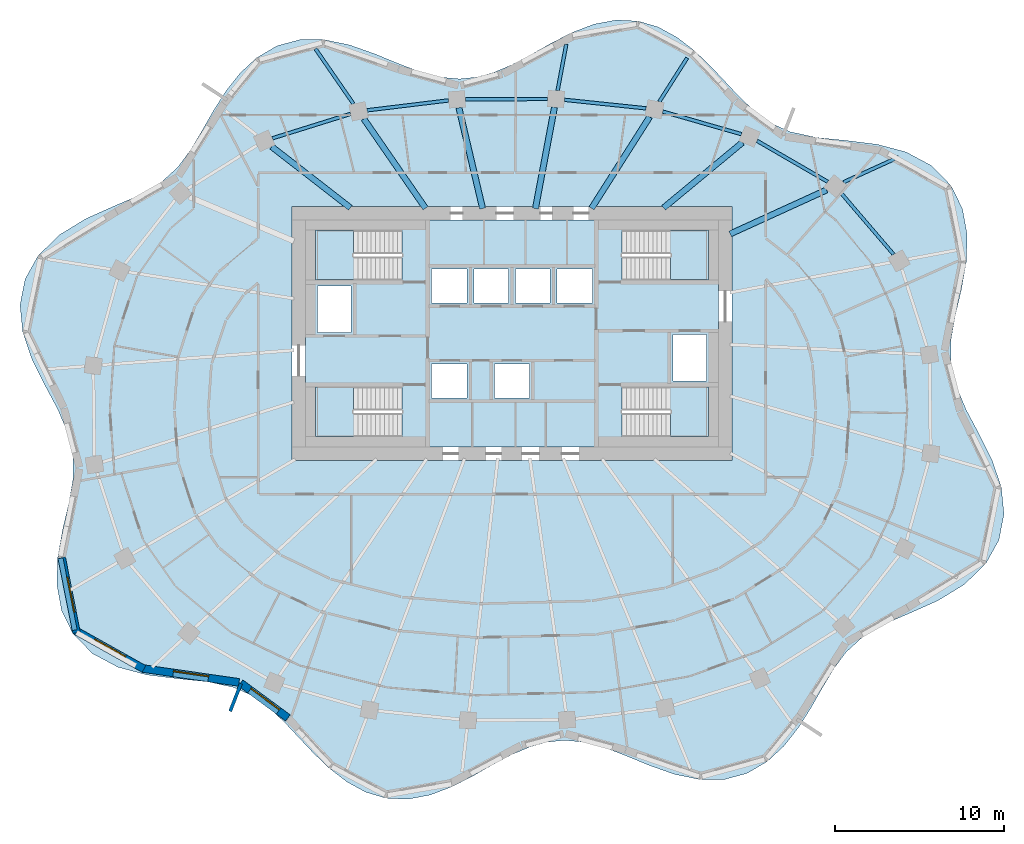
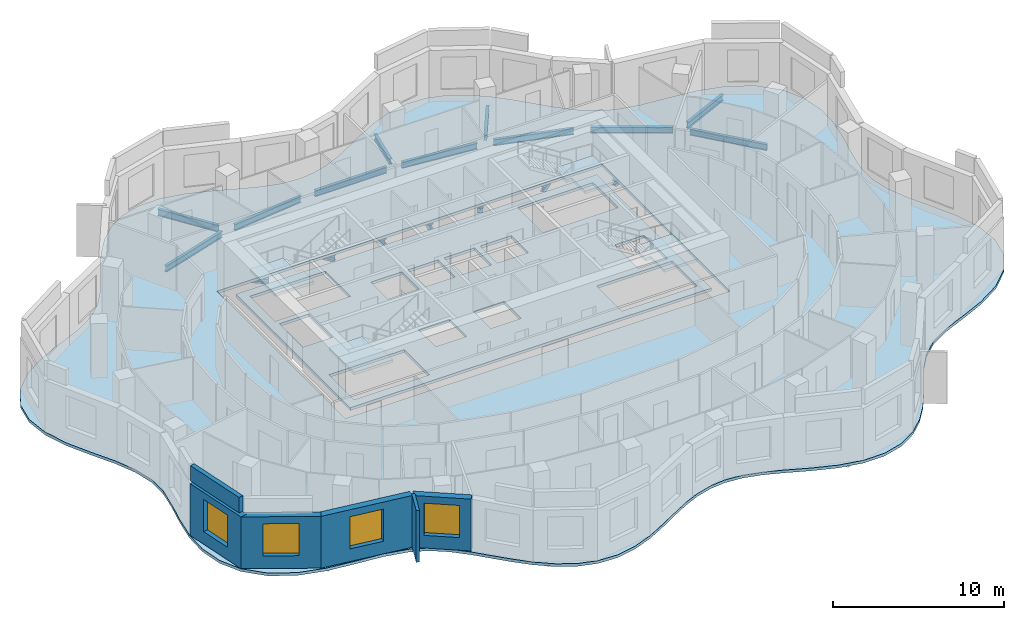
# One storey, part 2 of 11: 18 beams, 6 slabs, 6 walls, 4 windows, 4 openings, 4 elements without a shape of their own.
"""IFC4 building model written with IfcOpenShell, lengths in metres."""

from ifc_helpers import new_model, si_unit, direction, frame, frame_2d, origin, origin_2d, place, context, subcontext, project, spatial, polyline, rectangle, i_section, outline, extrude, material, layer, layer_set, material_profile, profile_set, type_object, element, fill, aggregate, save


model = new_model("IFC4")

# Units and contexts
model_context = context("Model", 3, precision=1e-05, world=origin(), true_north=direction((0.0, 1.0)))
body_context = subcontext(model_context, "Body", "Model", "MODEL_VIEW")
ifc_project = project(units=[si_unit("LENGTHUNIT", "METRE"), si_unit("AREAUNIT", "SQUARE_METRE"), si_unit("VOLUMEUNIT", "CUBIC_METRE"), si_unit("PLANEANGLEUNIT", "RADIAN"), si_unit("MASSUNIT", "GRAM", prefix="KILO")], contexts=[model_context])

# Site, building, storey
site_placement = place(None, origin())
site = spatial("IfcSite", under=ifc_project, at=site_placement, CompositionType="ELEMENT")
building_placement = place(site_placement, origin())
building = spatial("IfcBuilding", under=site, at=building_placement, Name="Rubra Terraces Tower", CompositionType="ELEMENT")
storey_placement = place(building_placement, frame((0.0, 0.0, 181.800048828125)))
storey = spatial("IfcBuildingStorey", under=building, at=storey_placement, Name="L44", CompositionType="ELEMENT", Elevation=181.800048828125)

# Beams
ifc_material_1 = material(Name="Steel Q355B", Category="steel")
ifc_material_profile_1 = material_profile(ifc_material_1, i_section(OverallWidth=0.199951171875, OverallDepth=0.39990234375, WebThickness=0.008056640625, FlangeThickness=0.012939453125, at=origin_2d()), Name="HN 400x200x8x13")
ifc_profile_set_1 = profile_set([ifc_material_profile_1], Name="Steel Q355B")
beam_type_1 = type_object("IfcBeamType", Name="CANTILEVER BEAM HN 400x200x8x13", PredefinedType="BEAM", material=ifc_profile_set_1)
beam_1_placement = place(storey_placement, frame((8.7099609375, 18.201904296875, -0.400146484375), z_axis=(0.536555231363, 0.843865204696, 0.0), x_axis=(-0.843865204696, 0.536555231363, 0.0)))
element("IfcBeam", 1, at=beam_1_placement, inside=storey, type_object=beam_type_1, Name="beam-L44-cant-05", PredefinedType="BEAM", context=body_context, shape_type="SweptSolid", body=[
    extrude(i_section(OverallWidth=0.199951171875, OverallDepth=0.39990234375, WebThickness=0.008056640625, FlangeThickness=0.012939453125, at=origin_2d()), origin(), (0.0, 0.0, 1.0), 3.05859375),
])
beam_2_placement = place(storey_placement, frame((2.695068359375, 18.85400390625, -0.400146484375), z_axis=(0.184719314681, 0.982791318024, 0.0), x_axis=(-0.982791318024, 0.184719314681, 0.0)))
element("IfcBeam", 2, at=beam_2_placement, inside=storey, type_object=beam_type_1, Name="beam-L44-cant-06", PredefinedType="BEAM", context=body_context, shape_type="SweptSolid", body=[
    extrude(i_section(OverallWidth=0.199951171875, OverallDepth=0.39990234375, WebThickness=0.008056640625, FlangeThickness=0.012939453125, at=origin_2d()), origin(), (0.0, 0.0, 1.0), 2.771484375),
])
ifc_material_profile_2 = material_profile(ifc_material_1, i_section(OverallWidth=0.198974609375, OverallDepth=0.446044921875, WebThickness=0.008056640625, FlangeThickness=0.011962890625, at=origin_2d()), Name="HN 446x199x8x12")
ifc_profile_set_2 = profile_set([ifc_material_profile_2], Name="Steel Q355B")
beam_type_2 = type_object("IfcBeamType", Name="CANTILEVER BEAM HN 446x199x8x12", PredefinedType="BEAM", material=ifc_profile_set_2)
beam_3_placement = place(storey_placement, frame((19.596923828125, 13.43896484375, -0.423095703125), z_axis=(0.909750987553, 0.415154357614, 0.0), x_axis=(-0.415154357614, 0.909750987553, 0.0)))
element("IfcBeam", 3, at=beam_3_placement, inside=storey, type_object=beam_type_2, Name="beam-L44-cant-03", PredefinedType="BEAM", context=body_context, shape_type="SweptSolid", body=[
    extrude(i_section(OverallWidth=0.198974609375, OverallDepth=0.446044921875, WebThickness=0.008056640625, FlangeThickness=0.011962890625, at=origin_2d()), origin(), (0.0, 0.0, 1.0), 3.56494140625),
])
ifc_material_profile_3 = material_profile(ifc_material_1, i_section(OverallWidth=0.198974609375, OverallDepth=0.49609375, WebThickness=0.009033203125, FlangeThickness=0.013916015625, at=origin_2d()), Name="HN 496x199x9x14")
ifc_profile_set_3 = profile_set([ifc_material_profile_3], Name="Steel Q355B")
beam_type_3 = type_object("IfcBeamType", Name="CANTILEVER BEAM HN 496x199x9x14", PredefinedType="BEAM", material=ifc_profile_set_3)
beam_4_placement = place(storey_placement, frame((-9.3701171875, 18.070068359375, -0.447998046875), z_axis=(-0.568216621414, 0.822879013676, 0.0), x_axis=(-0.822879013676, -0.568216621414, 0.0)))
element("IfcBeam", 4, at=beam_4_placement, inside=storey, type_object=beam_type_3, Name="beam-L44-cant-08", PredefinedType="BEAM", context=body_context, shape_type="SweptSolid", body=[
    extrude(i_section(OverallWidth=0.198974609375, OverallDepth=0.49609375, WebThickness=0.009033203125, FlangeThickness=0.013916015625, at=origin_2d()), origin(), (0.0, 0.0, 1.0), 3.95068359375),
])
ifc_material_profile_4 = material_profile(ifc_material_1, i_section(OverallWidth=0.35009765625, OverallDepth=0.35009765625, WebThickness=0.011962890625, FlangeThickness=0.01904296875, at=origin_2d()), Name="HW 350x350x12x19")
ifc_profile_set_4 = profile_set([ifc_material_profile_4], Name="Steel Q355B")
beam_type_4 = type_object("IfcBeamType", Name="FLOOR BEAM HW 350x350x12x19", PredefinedType="BEAM", material=ifc_profile_set_4)
beam_5_placement = place(storey_placement, frame((18.5869140625, 12.97900390625, -0.375), z_axis=(-0.909756526533, -0.415142219523, 0.0), x_axis=(0.415142219523, -0.909756526533, 0.0)))
element("IfcBeam", 5, at=beam_5_placement, inside=storey, type_object=beam_type_4, Name="beam-L44-floor-03", PredefinedType="BEAM", context=body_context, shape_type="SweptSolid", body=[
    extrude(i_section(OverallWidth=0.35009765625, OverallDepth=0.35009765625, WebThickness=0.011962890625, FlangeThickness=0.01904296875, at=origin_2d()), origin(), (0.0, 0.0, 1.0), 6.2607421875),
])
beam_6_placement = place(storey_placement, frame((13.60888671875, 15.777099609375, -0.375), z_axis=(-0.769987518392, -0.638058948312, 0.0), x_axis=(0.638058948312, -0.769987518392, 0.0)))
element("IfcBeam", 6, at=beam_6_placement, inside=storey, type_object=beam_type_4, Name="beam-L44-floor-04", PredefinedType="BEAM", context=body_context, shape_type="SweptSolid", body=[
    extrude(i_section(OverallWidth=0.35009765625, OverallDepth=0.35009765625, WebThickness=0.011962890625, FlangeThickness=0.01904296875, at=origin_2d()), origin(), (0.0, 0.0, 1.0), 6.040283203125),
])
beam_7_placement = place(storey_placement, frame((8.134033203125, 17.2958984375, -0.375), z_axis=(-0.536509861106, -0.843894050776, 0.0), x_axis=(0.843894050776, -0.536509861106, 0.0)))
element("IfcBeam", 7, at=beam_7_placement, inside=storey, type_object=beam_type_4, Name="beam-L44-floor-05", PredefinedType="BEAM", context=body_context, shape_type="SweptSolid", body=[
    extrude(i_section(OverallWidth=0.35009765625, OverallDepth=0.35009765625, WebThickness=0.011962890625, FlangeThickness=0.01904296875, at=origin_2d()), origin(), (0.0, 0.0, 1.0), 6.395263671875),
])
beam_8_placement = place(storey_placement, frame((2.509033203125, 17.862060546875, -0.375), z_axis=(-0.184574398021, -0.982818544593, 0.0), x_axis=(0.982818544593, -0.184574398021, 0.0)))
element("IfcBeam", 8, at=beam_8_placement, inside=storey, type_object=beam_type_4, Name="beam-L44-floor-06", PredefinedType="BEAM", context=body_context, shape_type="SweptSolid", body=[
    extrude(i_section(OverallWidth=0.35009765625, OverallDepth=0.35009765625, WebThickness=0.011962890625, FlangeThickness=0.01904296875, at=origin_2d()), origin(), (0.0, 0.0, 1.0), 6.08447265625),
])
beam_9_placement = place(storey_placement, frame((-3.137939453125, 17.8359375, -0.375), z_axis=(0.229070485592, -0.973409837957, 0.0), x_axis=(0.973409837957, 0.229070485592, 0.0)))
element("IfcBeam", 9, at=beam_9_placement, inside=storey, type_object=beam_type_4, Name="beam-L44-floor-07", PredefinedType="BEAM", context=body_context, shape_type="SweptSolid", body=[
    extrude(i_section(OverallWidth=0.35009765625, OverallDepth=0.35009765625, WebThickness=0.011962890625, FlangeThickness=0.01904296875, at=origin_2d()), origin(), (0.0, 0.0, 1.0), 6.115478515625),
])
beam_10_placement = place(storey_placement, frame((-8.756103515625, 17.179931640625, -0.375), z_axis=(0.568186422001, -0.822899866238, 0.0), x_axis=(0.822899866238, 0.568186422001, 0.0)))
element("IfcBeam", 10, at=beam_10_placement, inside=storey, type_object=beam_type_4, Name="beam-L44-floor-08", PredefinedType="BEAM", context=body_context, shape_type="SweptSolid", body=[
    extrude(i_section(OverallWidth=0.35009765625, OverallDepth=0.35009765625, WebThickness=0.011962890625, FlangeThickness=0.01904296875, at=origin_2d()), origin(), (0.0, 0.0, 1.0), 6.415283203125),
])
beam_11_placement = place(storey_placement, frame((-14.197998046875, 15.534912109375, -0.375), z_axis=(0.789548898228, -0.613687654517, 0.0), x_axis=(0.613687654517, 0.789548898228, 0.0)))
element("IfcBeam", 11, at=beam_11_placement, inside=storey, type_object=beam_type_4, Name="beam-L44-floor-09", PredefinedType="BEAM", context=body_context, shape_type="SweptSolid", body=[
    extrude(i_section(OverallWidth=0.35009765625, OverallDepth=0.35009765625, WebThickness=0.011962890625, FlangeThickness=0.01904296875, at=origin_2d()), origin(), (0.0, 0.0, 1.0), 5.880615234375),
])
ifc_material_profile_5 = material_profile(ifc_material_1, i_section(OverallWidth=0.198974609375, OverallDepth=0.446044921875, WebThickness=0.008056640625, FlangeThickness=0.011962890625, at=origin_2d()), Name="HN 446x199x8x12")
ifc_profile_set_5 = profile_set([ifc_material_profile_5], Name="Steel Q355B")
beam_type_5 = type_object("IfcBeamType", Name="SPANDREL BEAM HN 446x199x8x12", PredefinedType="SPANDREL", material=ifc_profile_set_5)
beam_12_placement = place(storey_placement, frame((22.547119140625, 9.174072265625, -0.423095703125), z_axis=(-0.650372836218, 0.759615148552, 0.0), x_axis=(-0.759615148552, -0.650372836218, 0.0)))
element("IfcBeam", 12, at=beam_12_placement, inside=storey, type_object=beam_type_5, Name="beam-L44-spandrel-02", PredefinedType="SPANDREL", context=body_context, shape_type="SweptSolid", body=[
    extrude(i_section(OverallWidth=0.198974609375, OverallDepth=0.446044921875, WebThickness=0.008056640625, FlangeThickness=0.011962890625, at=origin_2d()), origin(), (0.0, 0.0, 1.0), 4.804931640625),
])
beam_13_placement = place(storey_placement, frame((18.653076171875, 13.462890625, -0.423095703125), z_axis=(-0.865153680787, 0.501506838059, 0.0), x_axis=(-0.501506838059, -0.865153680787, 0.0)))
element("IfcBeam", 13, at=beam_13_placement, inside=storey, type_object=beam_type_5, Name="beam-L44-spandrel-03", PredefinedType="SPANDREL", context=body_context, shape_type="SweptSolid", body=[
    extrude(i_section(OverallWidth=0.198974609375, OverallDepth=0.446044921875, WebThickness=0.008056640625, FlangeThickness=0.011962890625, at=origin_2d()), origin(), (0.0, 0.0, 1.0), 4.82568359375),
])
beam_14_placement = place(storey_placement, frame((13.55810546875, 16.27490234375, -0.423095703125), z_axis=(-0.961171164323, 0.275952881621, 0.0), x_axis=(-0.275952881621, -0.961171164323, 0.0)))
element("IfcBeam", 14, at=beam_14_placement, inside=storey, type_object=beam_type_5, Name="beam-L44-spandrel-04", PredefinedType="SPANDREL", context=body_context, shape_type="SweptSolid", body=[
    extrude(i_section(OverallWidth=0.198974609375, OverallDepth=0.446044921875, WebThickness=0.008056640625, FlangeThickness=0.011962890625, at=origin_2d()), origin(), (0.0, 0.0, 1.0), 4.842041015625),
])
beam_15_placement = place(storey_placement, frame((7.923095703125, 17.801025390625, -0.423095703125), z_axis=(-0.994565426955, 0.104113454971, 0.0), x_axis=(-0.104113454971, -0.994565426955, 0.0)))
element("IfcBeam", 15, at=beam_15_placement, inside=storey, type_object=beam_type_5, Name="beam-L44-spandrel-05", PredefinedType="SPANDREL", context=body_context, shape_type="SweptSolid", body=[
    extrude(i_section(OverallWidth=0.198974609375, OverallDepth=0.446044921875, WebThickness=0.008056640625, FlangeThickness=0.011962890625, at=origin_2d()), origin(), (0.0, 0.0, 1.0), 4.849365234375),
])
beam_16_placement = place(storey_placement, frame((2.10107421875, 18.35595703125, -0.423095703125), z_axis=(-0.999987852299, -0.004929021704, 0.0), x_axis=(0.004929021704, -0.999987852299, 0.0)))
element("IfcBeam", 16, at=beam_16_placement, inside=storey, type_object=beam_type_5, Name="beam-L44-spandrel-06", PredefinedType="SPANDREL", context=body_context, shape_type="SweptSolid", body=[
    extrude(i_section(OverallWidth=0.198974609375, OverallDepth=0.446044921875, WebThickness=0.008056640625, FlangeThickness=0.011962890625, at=origin_2d()), origin(), (0.0, 0.0, 1.0), 4.85400390625),
])
beam_17_placement = place(storey_placement, frame((-3.7509765625, 18.27001953125, -0.423095703125), z_axis=(-0.992698018573, -0.120626049929, 0.0), x_axis=(0.120626049929, -0.992698018573, 0.0)))
element("IfcBeam", 17, at=beam_17_placement, inside=storey, type_object=beam_type_5, Name="beam-L44-spandrel-07", PredefinedType="SPANDREL", context=body_context, shape_type="SweptSolid", body=[
    extrude(i_section(OverallWidth=0.198974609375, OverallDepth=0.446044921875, WebThickness=0.008056640625, FlangeThickness=0.011962890625, at=origin_2d()), origin(), (0.0, 0.0, 1.0), 4.849365234375),
])
beam_18_placement = place(storey_placement, frame((-9.5419921875, 17.47509765625, -0.423095703125), z_axis=(-0.954462027342, -0.298332429282, 0.0), x_axis=(0.298332429282, -0.954462027342, 0.0)))
element("IfcBeam", 18, at=beam_18_placement, inside=storey, type_object=beam_type_5, Name="beam-L44-spandrel-08", PredefinedType="SPANDREL", context=body_context, shape_type="SweptSolid", body=[
    extrude(i_section(OverallWidth=0.198974609375, OverallDepth=0.446044921875, WebThickness=0.008056640625, FlangeThickness=0.011962890625, at=origin_2d()), origin(), (0.0, 0.0, 1.0), 4.840576171875),
])

# Slab
ifc_material_2 = material(Name="Concrete C40", Category="concrete")
ifc_layer_1 = layer(ifc_material_2, 0.199951171875)
ifc_layer_set_1 = layer_set([ifc_layer_1], Name="Concrete C40")
slab_type_1 = type_object("IfcSlabType", Name="Core floor slab 200 concrete", PredefinedType="FLOOR", material=ifc_layer_set_1)
slab_1_placement = place(storey_placement, frame((0.0, 0.0, -0.199951171875)))
element("IfcSlab", 19, at=slab_1_placement, inside=storey, type_object=slab_type_1, Name="CORE FLOOR SLAB L44", PredefinedType="FLOOR", context=body_context, shape_type="SweptSolid", body=[
    extrude(outline(polyline([(-12.199951171875, -2.199951171875), (-12.199951171875, 11.199951171875), (12.199951171875, 11.199951171875), (12.199951171875, -2.199951171875), (-12.199951171875, -2.199951171875)]), holes=[polyline([(11.597900390625, 1.347900390625), (6.501953125, 1.347900390625), (6.501953125, -1.597900390625), (11.597900390625, -1.597900390625), (11.597900390625, 1.347900390625)]), polyline([(11.597900390625, 7.652099609375), (11.597900390625, 10.597900390625), (6.501953125, 10.597900390625), (6.501953125, 7.652099609375), (11.597900390625, 7.652099609375)]), polyline([(9.5, 1.699951171875), (11.5, 1.699951171875), (11.5, 4.449951171875), (9.5, 4.449951171875), (9.5, 1.699951171875)]), polyline([(4.75, 6.300048828125), (4.75, 8.300048828125), (2.64990234375, 8.300048828125), (2.64990234375, 6.300048828125), (4.75, 6.300048828125)]), polyline([(2.25, 8.300048828125), (0.199951171875, 8.300048828125), (0.199951171875, 6.300048828125), (2.25, 6.300048828125), (2.25, 8.300048828125)]), polyline([(1.02490234375, 0.699951171875), (1.02490234375, 2.699951171875), (-1.02490234375, 2.699951171875), (-1.02490234375, 0.699951171875), (1.02490234375, 0.699951171875)]), polyline([(-0.199951171875, 6.300048828125), (-0.199951171875, 8.300048828125), (-2.25, 8.300048828125), (-2.25, 6.300048828125), (-0.199951171875, 6.300048828125)]), polyline([(-4.75, 8.300048828125), (-4.75, 6.300048828125), (-2.64990234375, 6.300048828125), (-2.64990234375, 8.300048828125), (-4.75, 8.300048828125)]), polyline([(-2.64990234375, 0.699951171875), (-2.64990234375, 2.699951171875), (-4.75, 2.699951171875), (-4.75, 0.699951171875), (-2.64990234375, 0.699951171875)]), polyline([(-11.597900390625, -1.597900390625), (-6.501953125, -1.597900390625), (-6.501953125, 1.347900390625), (-11.597900390625, 1.347900390625), (-11.597900390625, -1.597900390625)]), polyline([(-11.597900390625, 10.597900390625), (-11.597900390625, 7.652099609375), (-6.501953125, 7.652099609375), (-6.501953125, 10.597900390625), (-11.597900390625, 10.597900390625)]), polyline([(-9.5, 4.550048828125), (-9.5, 7.300048828125), (-11.5, 7.300048828125), (-11.5, 4.550048828125), (-9.5, 4.550048828125)])]), origin(), (0.0, 0.0, 1.0), 0.199951171875),
])

# Stair, slab
stair_type = type_object("IfcStairType", Name="Core stair 1400", PredefinedType="HALF_TURN_STAIR", material=ifc_material_2)
stair_1_placement = place(storey_placement, origin())
stair_1 = element("IfcStair", 20, at=stair_1_placement, inside=storey, type_object=stair_type, Name="L44 Exit stair S1", PredefinedType="HALF_TURN_STAIR")
ifc_layer_2 = layer(ifc_material_2, 0.199951171875)
ifc_layer_set_2 = layer_set([ifc_layer_2], Name="Concrete C40")
slab_type_2 = type_object("IfcSlabType", Name="Core stair landing 200", PredefinedType="LANDING", material=ifc_layer_set_2)
slab_2_placement = place(storey_placement, frame((0.0, 0.0, 1.75)))
slab_2 = element("IfcSlab", 21, at=slab_2_placement, type_object=slab_type_2, Name="S1 landing 1", PredefinedType="LANDING", context=body_context, shape_type="SweptSolid", body=[
    extrude(outline(polyline([(-8.97998046875, -0.199951171875), (-8.97998046875, -1.60009765625), (-9.360107421875, -1.60009765625), (-9.3798828125, -1.60009765625), (-11.60009765625, -1.60009765625), (-11.60009765625, 1.35009765625), (-9.3798828125, 1.35009765625), (-9.35791015625, 1.35009765625), (-9.35791015625, -0.050048828125), (-9.360107421875, -0.050048828125), (-9.360107421875, -0.199951171875), (-8.97998046875, -0.199951171875)])), origin(), (0.0, 0.0, 1.0), 0.199951171875),
])
aggregate(stair_1, [slab_2])

stair_2_placement = place(storey_placement, origin())
stair_2 = element("IfcStair", 22, at=stair_2_placement, inside=storey, type_object=stair_type, Name="L44 Exit stair S2", PredefinedType="HALF_TURN_STAIR")
slab_3_placement = place(storey_placement, frame((0.0, 0.0, 1.75)))
slab_3 = element("IfcSlab", 23, at=slab_3_placement, type_object=slab_type_2, Name="S2 landing 1", PredefinedType="LANDING", context=body_context, shape_type="SweptSolid", body=[
    extrude(outline(polyline([(-8.97998046875, 9.050048828125), (-8.97998046875, 7.64990234375), (-9.3798828125, 7.64990234375), (-11.60009765625, 7.64990234375), (-11.60009765625, 10.60009765625), (-9.3798828125, 10.60009765625), (-9.360107421875, 10.60009765625), (-9.35791015625, 10.60009765625), (-9.35791015625, 9.199951171875), (-9.360107421875, 9.199951171875), (-9.360107421875, 9.050048828125), (-8.97998046875, 9.050048828125)])), origin(), (0.0, 0.0, 1.0), 0.199951171875),
])
aggregate(stair_2, [slab_3])

stair_3_placement = place(storey_placement, origin())
stair_3 = element("IfcStair", 24, at=stair_3_placement, inside=storey, type_object=stair_type, Name="L44 Exit stair S3", PredefinedType="HALF_TURN_STAIR")
slab_4_placement = place(storey_placement, frame((0.0, 0.0, 1.75)))
slab_4 = element("IfcSlab", 25, at=slab_4_placement, type_object=slab_type_2, Name="S3 landing 1", PredefinedType="LANDING", context=body_context, shape_type="SweptSolid", body=[
    extrude(outline(polyline([(9.360107421875, 9.050048828125), (9.360107421875, 9.199951171875), (8.97998046875, 9.199951171875), (8.97998046875, 10.60009765625), (9.360107421875, 10.60009765625), (9.3798828125, 10.60009765625), (11.60009765625, 10.60009765625), (11.60009765625, 7.64990234375), (9.3798828125, 7.64990234375), (9.35791015625, 7.64990234375), (9.35791015625, 9.050048828125), (9.360107421875, 9.050048828125)])), origin(), (0.0, 0.0, 1.0), 0.199951171875),
])
aggregate(stair_3, [slab_4])

stair_4_placement = place(storey_placement, origin())
stair_4 = element("IfcStair", 26, at=stair_4_placement, inside=storey, type_object=stair_type, Name="L44 Exit stair S4", PredefinedType="HALF_TURN_STAIR")
slab_5_placement = place(storey_placement, frame((0.0, 0.0, 1.75)))
slab_5 = element("IfcSlab", 27, at=slab_5_placement, type_object=slab_type_2, Name="S4 landing 1", PredefinedType="LANDING", context=body_context, shape_type="SweptSolid", body=[
    extrude(outline(polyline([(9.360107421875, -0.199951171875), (9.360107421875, -0.050048828125), (8.97998046875, -0.050048828125), (8.97998046875, 1.35009765625), (9.360107421875, 1.35009765625), (9.3798828125, 1.35009765625), (11.60009765625, 1.35009765625), (11.60009765625, -1.60009765625), (9.3798828125, -1.60009765625), (9.360107421875, -1.60009765625), (9.35791015625, -1.60009765625), (9.35791015625, -0.199951171875), (9.360107421875, -0.199951171875)])), origin(), (0.0, 0.0, 1.0), 0.199951171875),
])
aggregate(stair_4, [slab_5])

# Slab
ifc_layer_3 = layer(ifc_material_2, 0.199951171875)
ifc_layer_set_3 = layer_set([ifc_layer_3], Name="Concrete C40")
slab_type_3 = type_object("IfcSlabType", Name="FLOOR SLAB 200 COMPOSITE", PredefinedType="FLOOR", material=ifc_layer_set_3)
slab_6_placement = place(storey_placement, frame((0.0, 0.0, -0.199951171875)))
element("IfcSlab", 28, at=slab_6_placement, inside=storey, type_object=slab_type_3, Name="FLOOR SLAB L44", PredefinedType="FLOOR", context=body_context, shape_type="SweptSolid", body=[
    extrude(outline(polyline([(27.60498046875, -1.447998046875), (26.8330078125, 0.0), (26.241943359375, 1.402099609375), (25.93408203125, 2.7490234375), (25.93896484375, 4.10791015625), (26.18994140625, 5.527099609375), (26.551025390625, 7.068115234375), (26.843994140625, 8.721923828125), (26.89794921875, 10.322021484375), (26.618896484375, 11.860107421875), (25.9541015625, 13.22412109375), (24.791015625, 14.4169921875), (23.280029296875, 15.22412109375), (21.576904296875, 15.677001953125), (19.7109375, 15.906982421875), (17.967041015625, 16.08203125), (16.422119140625, 16.422119140625), (15.35791015625, 16.89892578125), (14.376953125, 17.594970703125), (13.430908203125, 18.487060546875), (12.596923828125, 19.3779296875), (11.72509765625, 20.303955078125), (10.798095703125, 21.19189453125), (9.7509765625, 22.001953125), (8.634033203125, 22.60888671875), (7.4599609375, 22.958984375), (6.156982421875, 23.02197265625), (4.837890625, 22.77490234375), (3.528076171875, 22.27490234375), (2.3291015625, 21.662109375), (1.156005859375, 20.9990234375), (0.0, 20.383056640625), (-1.0439453125, 19.93701171875), (-2.072021484375, 19.64794921875), (-3.094970703125, 19.5419921875), (-4.2451171875, 19.64501953125), (-5.419921875, 19.9560546875), (-6.633056640625, 20.4130859375), (-8.09912109375, 21.01806640625), (-9.613037109375, 21.552001953125), (-11.14208984375, 21.866943359375), (-12.552978515625, 21.85595703125), (-13.886962890625, 21.4951171875), (-15.10009765625, 20.782958984375), (-16.069091796875, 19.883056640625), (-16.9140625, 18.81005859375), (-17.65087890625, 17.65087890625), (-18.34912109375, 16.429931640625), (-19.02294921875, 15.304931640625), (-19.736083984375, 14.339111328125), (-20.780029296875, 13.382080078125), (-22.05810546875, 12.64990234375), (-23.56298828125, 12.006103515625), (-25.175048828125, 11.283935546875), (-26.72509765625, 10.337890625), (-28.0, 9.097900390625), (-28.77099609375, 7.715087890625), (-29.072021484375, 6.176025390625), (-28.912109375, 4.5791015625), (-28.365966796875, 2.970947265625), (-27.60498046875, 1.447998046875), (-26.8330078125, 0.0), (-26.241943359375, -1.402099609375), (-25.93408203125, -2.7490234375), (-25.93896484375, -4.10791015625), (-26.18994140625, -5.527099609375), (-26.551025390625, -7.068115234375), (-26.843994140625, -8.721923828125), (-26.89794921875, -10.322021484375), (-26.618896484375, -11.860107421875), (-25.9541015625, -13.22412109375), (-24.791015625, -14.4169921875), (-23.280029296875, -15.22412109375), (-21.576904296875, -15.677001953125), (-19.7109375, -15.906982421875), (-17.967041015625, -16.08203125), (-16.422119140625, -16.422119140625), (-15.35791015625, -16.89892578125), (-14.376953125, -17.594970703125), (-13.430908203125, -18.487060546875), (-12.596923828125, -19.3779296875), (-11.72509765625, -20.303955078125), (-10.798095703125, -21.19189453125), (-9.7509765625, -22.001953125), (-8.634033203125, -22.60888671875), (-7.4599609375, -22.958984375), (-6.156982421875, -23.02197265625), (-4.837890625, -22.77490234375), (-3.528076171875, -22.27490234375), (-2.3291015625, -21.662109375), (-1.156005859375, -20.9990234375), (0.0, -20.383056640625), (1.0439453125, -19.93701171875), (2.072021484375, -19.64794921875), (3.094970703125, -19.5419921875), (4.2451171875, -19.64501953125), (5.419921875, -19.9560546875), (6.633056640625, -20.4130859375), (8.09912109375, -21.01806640625), (9.613037109375, -21.552001953125), (11.14208984375, -21.866943359375), (12.552978515625, -21.85595703125), (13.886962890625, -21.4951171875), (15.10009765625, -20.782958984375), (16.069091796875, -19.883056640625), (16.9140625, -18.81005859375), (17.65087890625, -17.65087890625), (18.34912109375, -16.429931640625), (19.02294921875, -15.304931640625), (19.736083984375, -14.339111328125), (20.780029296875, -13.382080078125), (22.05810546875, -12.64990234375), (23.56298828125, -12.006103515625), (25.175048828125, -11.283935546875), (26.72509765625, -10.337890625), (28.0, -9.097900390625), (28.77099609375, -7.715087890625), (29.072021484375, -6.176025390625), (28.912109375, -4.5791015625), (28.365966796875, -2.970947265625), (27.60498046875, -1.447998046875)]), holes=[polyline([(13.0, 12.0), (13.0, -3.0), (-13.0, -3.0), (-13.0, 12.0), (13.0, 12.0)])]), origin(), (0.0, 0.0, 1.0), 0.199951171875),
])

# Wall, opening, window
ifc_material_3 = material(Name="Brick masonry red-brown", Category="masonry")
ifc_layer_4 = layer(ifc_material_3, 0.449951171875)
ifc_layer_set_4 = layer_set([ifc_layer_4], Name="Brick masonry red-brown")
wall_type_1 = type_object("IfcWallType", Name="Brick facade wall 450", PredefinedType="SOLIDWALL", material=ifc_layer_set_4)
wall_1_placement = place(storey_placement, frame((-26.609619140625, -8.747802734375, 0.0), z_axis=(0.0, 0.0, 1.0), x_axis=(0.193923166402, -0.981016720312, 0.0)))
wall_1 = element("IfcWall", 29, at=wall_1_placement, inside=storey, type_object=wall_type_1, Name="Facade wall L44 bay 23", PredefinedType="SOLIDWALL", context=body_context, shape_type="SweptSolid", body=[
    extrude(rectangle(XDim=4.518310546875, YDim=0.449951171875, at=frame_2d((2.25927734375, 0.0))), origin(), (0.0, 0.0, 1.0), 3.699951171875),
])
opening_1_placement = place(wall_1_placement, frame((1.209228515625, 0.0, 0.89990234375)))
opening_1 = element("IfcOpeningElement", 30, at=opening_1_placement, cuts=wall_1, Name="Opening W1B", PredefinedType="OPENING", context=body_context, shape_type="SweptSolid", body=[
    extrude(rectangle(XDim=2.10009765625, YDim=2.300048828125, at=frame_2d((1.050048828125, 1.14990234375))), frame((0.0, 0.23486328125, 0.0), z_axis=(0.0, -1.0, 0.0), x_axis=(1.0, 0.0, 0.0)), (0.0, 0.0, 1.0), 0.469970703125),
])
ifc_material_4 = material(Name="Clear glass in aluminium frame", Category="aluminium")
window_type = type_object("IfcWindowType", Name="Fixed deep-set window tall storey 2100 x 2300", PartitioningType="SINGLE_PANEL", PredefinedType="WINDOW", material=ifc_material_4)
window_1_placement = place(opening_1_placement, origin())
window_1 = element("IfcWindow", 31, at=window_1_placement, inside=storey, type_object=window_type, Name="Window L44 bay 23", OverallHeight=2.300048828125, OverallWidth=2.10009765625, PartitioningType="SINGLE_PANEL", PredefinedType="WINDOW", context=body_context, shape_type="SweptSolid", body=[
    extrude(rectangle(XDim=2.10009765625, YDim=2.300048828125, at=frame_2d((1.050048828125, 1.14990234375))), frame((0.0, 0.135009765625, 0.0), z_axis=(0.0, -1.0, 0.0), x_axis=(1.0, 0.0, 0.0)), (0.0, 0.0, 1.0), 0.06005859375),
])
fill(opening_1, window_1)

wall_2_placement = place(storey_placement, frame((-25.843994140625, -13.027587890625, 0.0), z_axis=(0.0, 0.0, 1.0), x_axis=(0.872346398261, -0.488888291373, 0.0)))
wall_2 = element("IfcWall", 32, at=wall_2_placement, inside=storey, type_object=wall_type_1, Name="Facade wall L44 bay 24", PredefinedType="SOLIDWALL", context=body_context, shape_type="SweptSolid", body=[
    extrude(rectangle(XDim=4.696044921875, YDim=0.449951171875, at=frame_2d((2.34814453125, 0.0))), origin(), (0.0, 0.0, 1.0), 3.699951171875),
])
opening_2_placement = place(wall_2_placement, frame((1.298095703125, 0.0, 0.89990234375)))
opening_2 = element("IfcOpeningElement", 33, at=opening_2_placement, cuts=wall_2, Name="Opening W1B", PredefinedType="OPENING", context=body_context, shape_type="SweptSolid", body=[
    extrude(rectangle(XDim=2.10009765625, YDim=2.300048828125, at=frame_2d((1.050048828125, 1.14990234375))), frame((0.0, 0.23486328125, 0.0), z_axis=(0.0, -1.0, 0.0), x_axis=(1.0, 0.0, 0.0)), (0.0, 0.0, 1.0), 0.469970703125),
])
window_2_placement = place(opening_2_placement, origin())
window_2 = element("IfcWindow", 34, at=window_2_placement, inside=storey, type_object=window_type, Name="Window L44 bay 24", OverallHeight=2.300048828125, OverallWidth=2.10009765625, PartitioningType="SINGLE_PANEL", PredefinedType="WINDOW", context=body_context, shape_type="SweptSolid", body=[
    extrude(rectangle(XDim=2.10009765625, YDim=2.300048828125, at=frame_2d((1.050048828125, 1.14990234375))), frame((0.0, 0.135009765625, 0.0), z_axis=(0.0, -1.0, 0.0), x_axis=(1.0, 0.0, 0.0)), (0.0, 0.0, 1.0), 0.06005859375),
])
fill(opening_2, window_2)

wall_3_placement = place(storey_placement, frame((-21.8251953125, -15.297119140625, 0.0), z_axis=(0.0, 0.0, 1.0), x_axis=(0.98971474215, -0.143054986527, 0.0)))
wall_3 = element("IfcWall", 35, at=wall_3_placement, inside=storey, type_object=wall_type_1, Name="Facade wall L44 bay 25", PredefinedType="SOLIDWALL", context=body_context, shape_type="SweptSolid", body=[
    extrude(rectangle(XDim=5.7529296875, YDim=0.449951171875, at=frame_2d((2.87646484375, 0.0))), origin(), (0.0, 0.0, 1.0), 3.699951171875),
])
opening_3_placement = place(wall_3_placement, frame((1.826416015625, 0.0, 0.89990234375)))
opening_3 = element("IfcOpeningElement", 36, at=opening_3_placement, cuts=wall_3, Name="Opening W1B", PredefinedType="OPENING", context=body_context, shape_type="SweptSolid", body=[
    extrude(rectangle(XDim=2.10009765625, YDim=2.300048828125, at=frame_2d((1.050048828125, 1.14990234375))), frame((0.0, 0.23486328125, 0.0), z_axis=(0.0, -1.0, 0.0), x_axis=(1.0, 0.0, 0.0)), (0.0, 0.0, 1.0), 0.469970703125),
])
window_3_placement = place(opening_3_placement, origin())
window_3 = element("IfcWindow", 37, at=window_3_placement, inside=storey, type_object=window_type, Name="Window L44 bay 25", OverallHeight=2.300048828125, OverallWidth=2.10009765625, PartitioningType="SINGLE_PANEL", PredefinedType="WINDOW", context=body_context, shape_type="SweptSolid", body=[
    extrude(rectangle(XDim=2.10009765625, YDim=2.300048828125, at=frame_2d((1.050048828125, 1.14990234375))), frame((0.0, 0.135009765625, 0.0), z_axis=(0.0, -1.0, 0.0), x_axis=(1.0, 0.0, 0.0)), (0.0, 0.0, 1.0), 0.06005859375),
])
fill(opening_3, window_3)

wall_4_placement = place(storey_placement, frame((-16.03564453125, -16.15771484375, 0.0), z_axis=(0.0, 0.0, 1.0), x_axis=(0.805181432967, -0.593028549064, 0.0)))
wall_4 = element("IfcWall", 38, at=wall_4_placement, inside=storey, type_object=wall_type_1, Name="Facade wall L44 bay 26", PredefinedType="SOLIDWALL", context=body_context, shape_type="SweptSolid", body=[
    extrude(rectangle(XDim=3.468505859375, YDim=0.449951171875, at=frame_2d((1.734375, 0.0))), origin(), (0.0, 0.0, 1.0), 3.699951171875),
])
opening_4_placement = place(wall_4_placement, frame((0.684326171875, 0.0, 0.89990234375)))
opening_4 = element("IfcOpeningElement", 39, at=opening_4_placement, cuts=wall_4, Name="Opening W1B", PredefinedType="OPENING", context=body_context, shape_type="SweptSolid", body=[
    extrude(rectangle(XDim=2.10009765625, YDim=2.300048828125, at=frame_2d((1.050048828125, 1.14990234375))), frame((0.0, 0.23486328125, 0.0), z_axis=(0.0, -1.0, 0.0), x_axis=(1.0, 0.0, 0.0)), (0.0, 0.0, 1.0), 0.469970703125),
])
window_4_placement = place(opening_4_placement, origin())
window_4 = element("IfcWindow", 40, at=window_4_placement, inside=storey, type_object=window_type, Name="Window L44 bay 26", OverallHeight=2.300048828125, OverallWidth=2.10009765625, PartitioningType="SINGLE_PANEL", PredefinedType="WINDOW", context=body_context, shape_type="SweptSolid", body=[
    extrude(rectangle(XDim=2.10009765625, YDim=2.300048828125, at=frame_2d((1.050048828125, 1.14990234375))), frame((0.0, 0.135009765625, 0.0), z_axis=(0.0, -1.0, 0.0), x_axis=(1.0, 0.0, 0.0)), (0.0, 0.0, 1.0), 0.06005859375),
])
fill(opening_4, window_4)

# Walls
ifc_layer_5 = layer(ifc_material_3, 0.300048828125)
ifc_layer_set_5 = layer_set([ifc_layer_5], Name="Brick masonry red-brown")
wall_type_2 = type_object("IfcWallType", Name="Brick parapet 300", PredefinedType="PARAPET", material=ifc_layer_set_5)
wall_5_placement = place(storey_placement, frame((-26.6796875, -8.7802734375, 3.89990234375), z_axis=(0.0, 0.0, 1.0), x_axis=(0.193937094138, -0.981013967035, 0.0)))
element("IfcWall", 41, at=wall_5_placement, inside=storey, type_object=wall_type_2, Name="Parapet L44 bay 23", PredefinedType="PARAPET", context=body_context, shape_type="SweptSolid", body=[
    extrude(rectangle(XDim=4.331787109375, YDim=0.300048828125, at=frame_2d((2.166015625, 0.0))), origin(), (0.0, 0.0, 1.0), 1.10009765625),
])
ifc_layer_6 = layer(ifc_material_3, 0.199951171875)
ifc_layer_set_6 = layer_set([ifc_layer_6], Name="Brick masonry red-brown")
wall_type_3 = type_object("IfcWallType", Name="Brick wind fin 200", PredefinedType="SOLIDWALL", material=ifc_layer_set_6)
wall_6_placement = place(storey_placement, frame((-16.01904296875, -16.195068359375, 0.0), z_axis=(0.0, 0.0, 1.0), x_axis=(-0.362641522028, -0.931928713208, 0.0)))
element("IfcWall", 42, at=wall_6_placement, inside=storey, type_object=wall_type_3, Name="Wind fin L44 16", PredefinedType="SOLIDWALL", context=body_context, shape_type="SweptSolid", body=[
    extrude(rectangle(XDim=1.749755859375, YDim=0.199951171875, at=frame_2d((0.875, 0.0))), origin(), (0.0, 0.0, 1.0), 3.699951171875),
])

save(model, "model.ifc")
